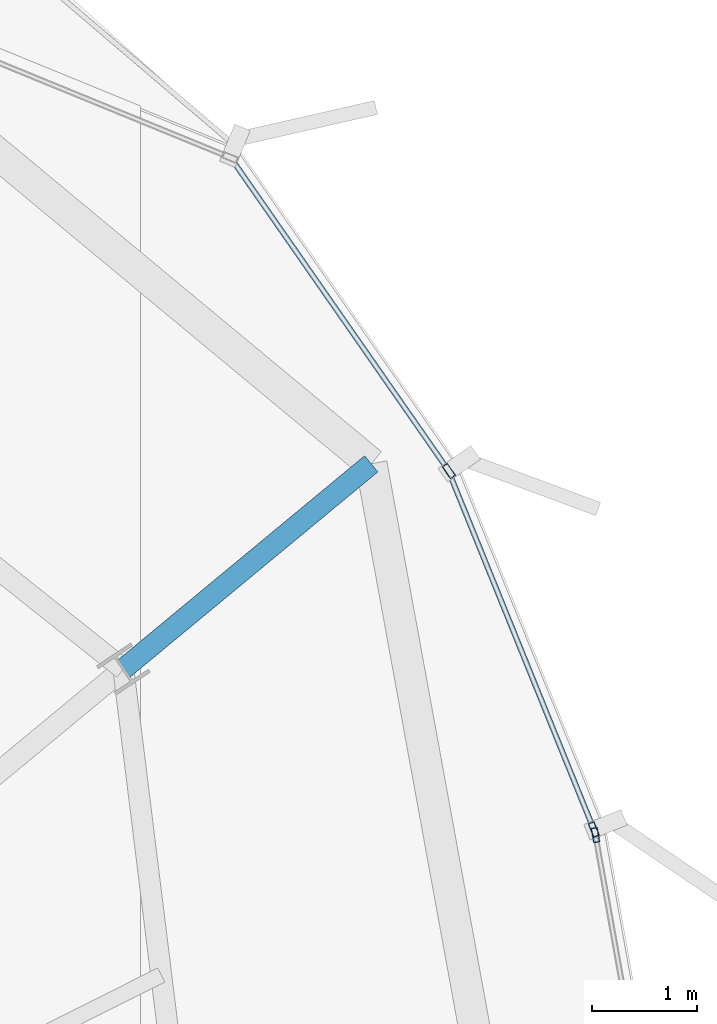
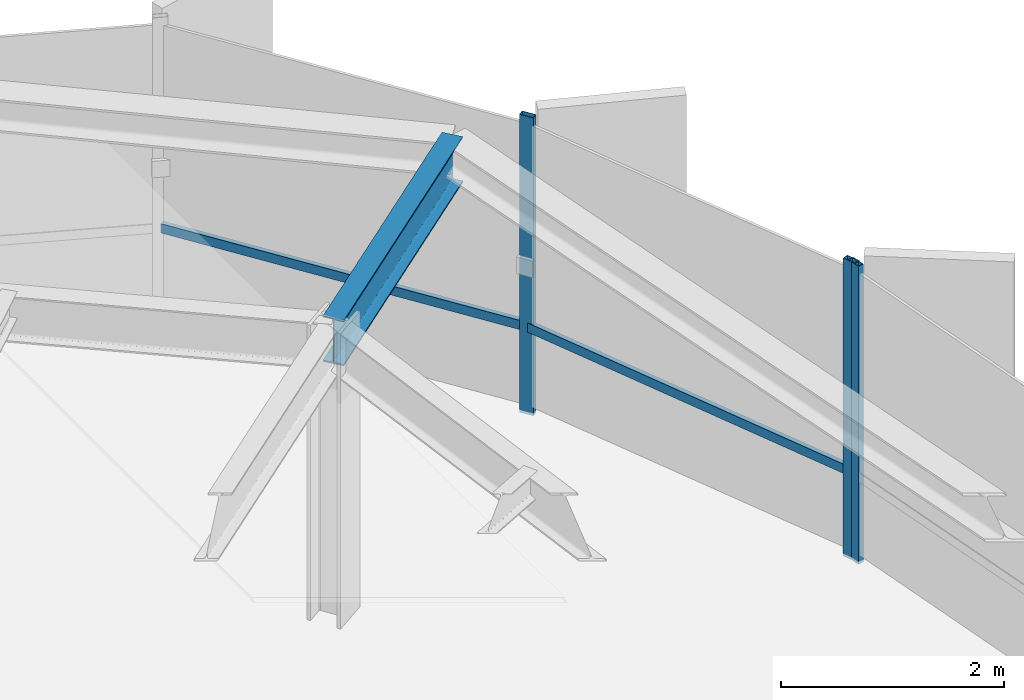
# One storey, part 28 of 37: 5 members, 1 beam, 2 elements without a shape of their own.
"""IFC4 building model written with IfcOpenShell, lengths in metres."""

from ifc_helpers import new_model, si_unit, direction, frame, origin, origin_2d, place, context, subcontext, project, spatial, hollow_rectangle, i_section, extrude, source, transform, mapped, material, layer, layer_set, material_profile, profile_set, type_object, element, aggregate, save


model = new_model("IFC4")

# Units and contexts
model_context = context("Model", 3, precision=1e-05, world=origin(), true_north=direction((0.0, 1.0)))
body_context = subcontext(model_context, "Body", "Model", "MODEL_VIEW")
ifc_project = project(units=[si_unit("LENGTHUNIT", "METRE"), si_unit("AREAUNIT", "SQUARE_METRE"), si_unit("VOLUMEUNIT", "CUBIC_METRE"), si_unit("PLANEANGLEUNIT", "RADIAN"), si_unit("MASSUNIT", "GRAM", prefix="KILO"), si_unit("THERMODYNAMICTEMPERATUREUNIT", "KELVIN")], contexts=[model_context])

# Site, building, storey
site_placement = place(None, origin())
site = spatial("IfcSite", under=ifc_project, at=site_placement, CompositionType="ELEMENT")
building_placement = place(site_placement, origin())
building = spatial("IfcBuilding", under=site, at=building_placement, Name="Kethvar Cultural Tower", CompositionType="ELEMENT")
storey_placement = place(building_placement, frame((0.0, 0.0, 200.89990234375)))
storey = spatial("IfcBuildingStorey", under=building, at=storey_placement, Name="L52", CompositionType="ELEMENT", Elevation=200.89990234375)

# Beam
ifc_material_1 = material(Name="Steel S355J2", Category="steel")
ifc_material_profile_1 = material_profile(ifc_material_1, i_section(OverallWidth=0.199951171875, OverallDepth=0.5, WebThickness=0.01025390625, FlangeThickness=0.01611328125, FilletRadius=0.02099609375, at=origin_2d()), Name="Steel S355J2 — IPE500")
ifc_profile_set_1 = profile_set([ifc_material_profile_1], Name="Steel S355J2 — IPE500")
beam_type = type_object("IfcBeamType", Name="BM-IPE500", PredefinedType="BEAM", material=ifc_profile_set_1)
shared_shape_1 = source(origin(), body_context, "Body", "SweptSolid", [
    extrude(i_section(OverallWidth=0.199951171875, OverallDepth=0.5, WebThickness=0.01025390625, FlangeThickness=0.01611328125, FilletRadius=0.02099609375, at=origin_2d()), origin(), (0.0, 0.0, 1.0), 3.064208984375),
])
beam_placement = place(storey_placement, frame((65.504150390625, 40.297607421875, 3.008056640625), z_axis=(0.770320092877, 0.637657395872, 0.0), x_axis=(-0.637657395872, 0.770320092877, 0.0)))
element("IfcBeam", 1, at=beam_placement, inside=storey, type_object=beam_type, Name="L52 Perimeter Cantilever Beam RC-02", PredefinedType="BEAM", context=body_context, shape_type="MappedRepresentation", body=[
    mapped(shared_shape_1, transform((0.0, 0.0, 0.0), scale=1.0)),
])

# Curtain wall, member
ifc_material_2 = material(Name="Aluminium 6063-T6", Category="aluminium")
ifc_layer = layer(ifc_material_2, 0.179931640625, Name="Aluminium 6063-T6", Category="aluminium")
ifc_layer_set = layer_set([ifc_layer], Name="Aluminium 6063-T6 (180 mm)")
curtain_wall_type = type_object("IfcCurtainWallType", Name="CW-SYS-04-Z34", PredefinedType="NOTDEFINED", material=ifc_layer_set)
curtain_wall_1_placement = place(storey_placement, origin())
curtain_wall_1 = element("IfcCurtainWall", 2, at=curtain_wall_1_placement, inside=storey, type_object=curtain_wall_type, Name="L52 Curtain Wall Run 06", PredefinedType="NOTDEFINED")
ifc_material_profile_2 = material_profile(ifc_material_2, hollow_rectangle(XDim=0.06005859375, YDim=0.139892578125, WallThickness=0.0048828125, at=origin_2d()), Name="Aluminium 6063-T6 — RHS140x60x5")
ifc_profile_set_2 = profile_set([ifc_material_profile_2], Name="Aluminium 6063-T6 — RHS140x60x5")
member_type_1 = type_object("IfcMemberType", Name="CW-SYS-04-Z34-MUL", PredefinedType="MULLION", material=ifc_profile_set_2)
shared_shape_2 = source(origin(), body_context, "Body", "SweptSolid", [
    extrude(hollow_rectangle(XDim=0.06005859375, YDim=0.139892578125, WallThickness=0.0048828125, at=origin_2d()), origin(), (0.0, 0.0, 1.0), 3.260009765625),
])
member_1_placement = place(storey_placement, frame((69.998291015625, 38.717041015625, 0.0), z_axis=(0.0, 0.0, 1.0), x_axis=(-0.98436821771, -0.176122718475, 0.0)))
member_1 = element("IfcMember", 3, at=member_1_placement, type_object=member_type_1, Name="CW-L52-R06 Mullion 7", PredefinedType="MULLION", context=body_context, shape_type="MappedRepresentation", body=[
    mapped(shared_shape_2, transform((0.0, 0.0, 0.0), scale=1.0)),
])
aggregate(curtain_wall_1, [member_1])

# Curtain wall, members
curtain_wall_2_placement = place(storey_placement, origin())
curtain_wall_2 = element("IfcCurtainWall", 4, at=curtain_wall_2_placement, inside=storey, type_object=curtain_wall_type, Name="L52 Curtain Wall Run 07", PredefinedType="NOTDEFINED")
member_2_placement = place(storey_placement, frame((69.983154296875, 38.769775390625, 0.0), z_axis=(0.0, 0.0, 1.0), x_axis=(-0.926791059146, -0.375577332499, 0.0)))
member_2 = element("IfcMember", 5, at=member_2_placement, type_object=member_type_1, Name="CW-L52-R07 Mullion 1", PredefinedType="MULLION", context=body_context, shape_type="MappedRepresentation", body=[
    mapped(shared_shape_2, transform((0.0, 0.0, 0.0), scale=1.0)),
])
member_3_placement = place(storey_placement, frame((68.603271484375, 42.181884765625, 0.0), z_axis=(0.0, 0.0, 1.0), x_axis=(-0.820730633656, -0.571315348104, 0.0)))
member_3 = element("IfcMember", 6, at=member_3_placement, type_object=member_type_1, Name="CW-L52-R07 Mullion 2", PredefinedType="MULLION", context=body_context, shape_type="MappedRepresentation", body=[
    mapped(shared_shape_2, transform((0.0, 0.0, 0.0), scale=1.0)),
])
ifc_material_profile_3 = material_profile(ifc_material_2, hollow_rectangle(XDim=0.050048828125, YDim=0.10009765625, WallThickness=0.00390625, at=origin_2d()), Name="Aluminium 6063-T6 — RHS100x50x4")
ifc_profile_set_3 = profile_set([ifc_material_profile_3], Name="Aluminium 6063-T6 — RHS100x50x4")
member_type_2 = type_object("IfcMemberType", Name="CW-SYS-04-Z34-TRN", PredefinedType="USERDEFINED", material=ifc_profile_set_3)
shared_shape_3 = source(origin(), body_context, "Body", "SweptSolid", [
    extrude(hollow_rectangle(XDim=0.050048828125, YDim=0.10009765625, WallThickness=0.00390625, at=origin_2d()), origin(), (0.0, 0.0, 1.0), 3.657470703125),
])
member_4_placement = place(storey_placement, frame((69.9814453125, 38.773681640625, 0.9501953125), z_axis=(-0.375553254923, 0.926800816096, 0.0), x_axis=(-0.926800816096, -0.375553254923, 0.0)))
member_4 = element("IfcMember", 7, at=member_4_placement, type_object=member_type_2, Name="CW-L52-R07 Transom 1", ObjectType="TRANSOM", PredefinedType="USERDEFINED", context=body_context, shape_type="MappedRepresentation", body=[
    mapped(shared_shape_3, transform((0.0, 0.0, 0.0), scale=1.0)),
])
shared_shape_4 = source(origin(), body_context, "Body", "SweptSolid", [
    extrude(hollow_rectangle(XDim=0.050048828125, YDim=0.10009765625, WallThickness=0.00390625, at=origin_2d()), origin(), (0.0, 0.0, 1.0), 3.5810546875),
])
member_5_placement = place(storey_placement, frame((68.57861328125, 42.21728515625, 0.9501953125), z_axis=(-0.571328136623, 0.820721731345, 0.0), x_axis=(-0.820721731345, -0.571328136623, 0.0)))
member_5 = element("IfcMember", 8, at=member_5_placement, type_object=member_type_2, Name="CW-L52-R07 Transom 2", ObjectType="TRANSOM", PredefinedType="USERDEFINED", context=body_context, shape_type="MappedRepresentation", body=[
    mapped(shared_shape_4, transform((0.0, 0.0, 0.0), scale=1.0)),
])
aggregate(curtain_wall_2, [member_2, member_3, member_4, member_5])

save(model, "model.ifc")
